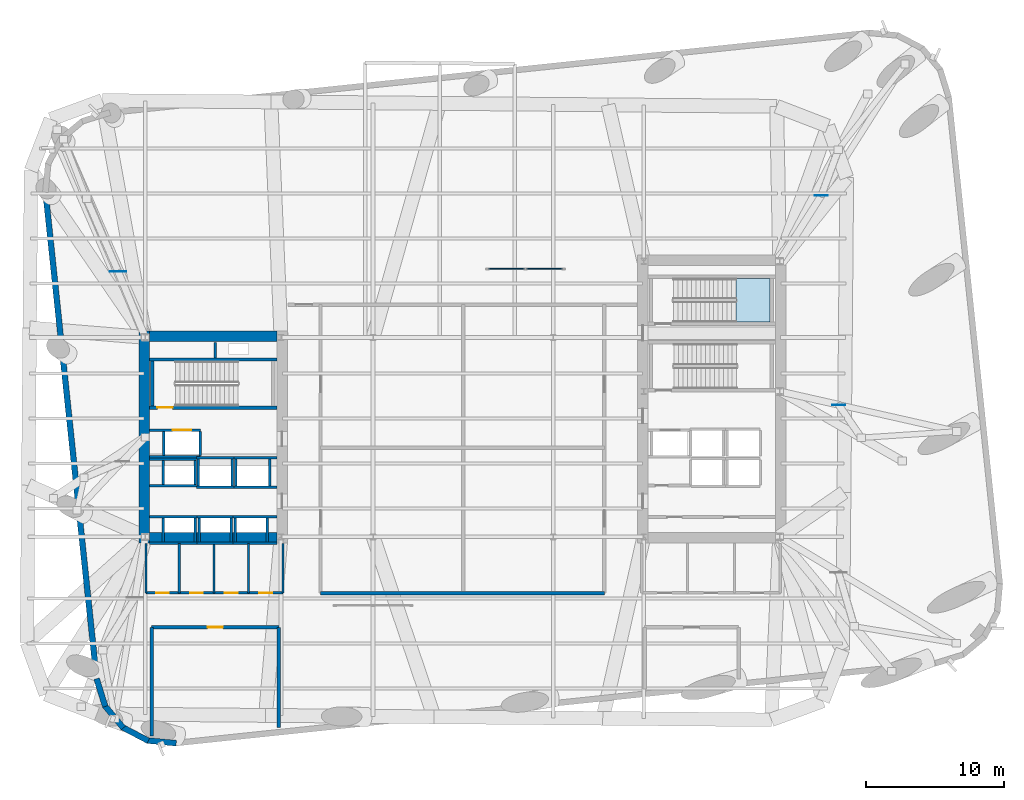
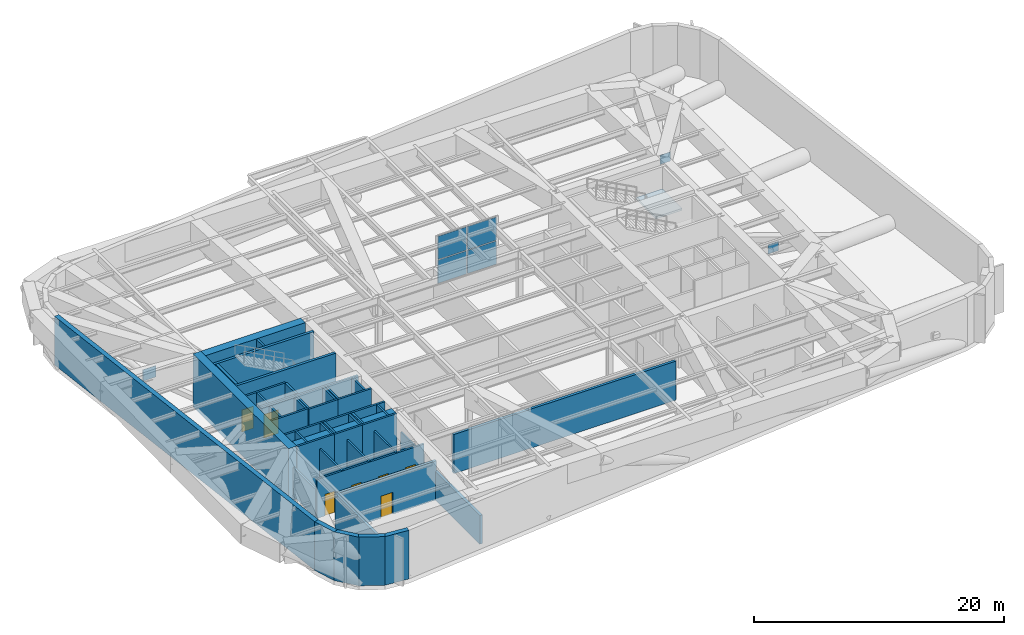
# One storey, part 7 of 15: 50 walls, 7 doors, 7 plates, 1 slab, 7 openings, 2 elements without a shape of their own.
"""IFC4 building model written with IfcOpenShell, lengths in metres."""

from ifc_helpers import new_model, si_unit, direction, frame, frame_2d, origin, origin_2d, place, context, subcontext, project, spatial, polyline, rectangle, outline, extrude, material, layer, layer_set, type_object, element, fill, aggregate, save


model = new_model("IFC4")

# Units and contexts
model_context = context("Model", 3, precision=1e-05, world=origin(), true_north=direction((0.0, 1.0)))
body_context = subcontext(model_context, "Body", "Model", "MODEL_VIEW")
ifc_project = project(units=[si_unit("LENGTHUNIT", "METRE"), si_unit("AREAUNIT", "SQUARE_METRE"), si_unit("VOLUMEUNIT", "CUBIC_METRE"), si_unit("PLANEANGLEUNIT", "RADIAN"), si_unit("MASSUNIT", "GRAM", prefix="KILO")], contexts=[model_context])

# Site, building, storey
site_placement = place(None, origin())
site = spatial("IfcSite", under=ifc_project, at=site_placement, CompositionType="ELEMENT")
building_placement = place(site_placement, origin())
building = spatial("IfcBuilding", under=site, at=building_placement, Name="Kolvaren Arena Tower", CompositionType="ELEMENT")
storey_placement = place(building_placement, frame((0.0, 0.0, 153.25)))
storey = spatial("IfcBuildingStorey", under=building, at=storey_placement, Name="L36", CompositionType="ELEMENT", Elevation=153.25)

# Curtain wall, plates
ifc_material_1 = material(Name="Anodised aluminium unitised curtain wall", Category="aluminium")
curtain_wall_type = type_object("IfcCurtainWallType", Name="CW-SYS-05", PredefinedType="USERDEFINED", material=ifc_material_1)
curtain_wall_placement = place(storey_placement, origin())
curtain_wall = element("IfcCurtainWall", 1, at=curtain_wall_placement, inside=storey, type_object=curtain_wall_type, Name="Mechanical Plant Louvre Curtain Wall (L36)", ObjectType="ACOUSTIC LOUVRE SCREEN", PredefinedType="USERDEFINED")
ifc_material_2 = material(Name="Storm-proof anodised aluminium louvre panel", Category="aluminium")
ifc_layer_1 = layer(ifc_material_2, 0.074951171875)
ifc_layer_set_1 = layer_set([ifc_layer_1], Name="Storm-proof anodised aluminium louvre panel")
plate_type_1 = type_object("IfcPlateType", Name="CWP-LVR1", PredefinedType="CURTAIN_PANEL", material=ifc_layer_set_1)
plate_1_placement = place(storey_placement, frame((40.625, 38.800048828125, 0.080078125), z_axis=(0.0, 0.0, 1.0), x_axis=(1.0, 0.0, 0.0)))
plate_1 = element("IfcPlate", 2, at=plate_1_placement, type_object=plate_type_1, Name="CW5 panel 1.1", PredefinedType="CURTAIN_PANEL", context=body_context, shape_type="SweptSolid", body=[
    extrude(rectangle(XDim=2.64990234375, YDim=0.074951171875, at=origin_2d()), origin(), (0.0, 0.0, 1.0), 2.2548828125),
])
plate_2_placement = place(storey_placement, frame((40.625, 38.800048828125, 2.4150390625), z_axis=(0.0, 0.0, 1.0), x_axis=(1.0, 0.0, 0.0)))
plate_2 = element("IfcPlate", 3, at=plate_2_placement, type_object=plate_type_1, Name="CW5 panel 1.2", PredefinedType="CURTAIN_PANEL", context=body_context, shape_type="SweptSolid", body=[
    extrude(rectangle(XDim=2.64990234375, YDim=0.074951171875, at=origin_2d()), origin(), (0.0, 0.0, 1.0), 2.2548828125),
])
plate_3_placement = place(storey_placement, frame((43.375, 38.800048828125, 0.080078125), z_axis=(0.0, 0.0, 1.0), x_axis=(1.0, 0.0, 0.0)))
plate_3 = element("IfcPlate", 4, at=plate_3_placement, type_object=plate_type_1, Name="CW5 panel 2.1", PredefinedType="CURTAIN_PANEL", context=body_context, shape_type="SweptSolid", body=[
    extrude(rectangle(XDim=2.64990234375, YDim=0.074951171875, at=origin_2d()), origin(), (0.0, 0.0, 1.0), 2.2548828125),
])
plate_4_placement = place(storey_placement, frame((43.375, 38.800048828125, 2.4150390625), z_axis=(0.0, 0.0, 1.0), x_axis=(1.0, 0.0, 0.0)))
plate_4 = element("IfcPlate", 5, at=plate_4_placement, type_object=plate_type_1, Name="CW5 panel 2.2", PredefinedType="CURTAIN_PANEL", context=body_context, shape_type="SweptSolid", body=[
    extrude(rectangle(XDim=2.64990234375, YDim=0.074951171875, at=origin_2d()), origin(), (0.0, 0.0, 1.0), 2.2548828125),
])
aggregate(curtain_wall, [plate_1, plate_2, plate_3, plate_4])

# Plates
ifc_material_3 = material(Name="Steel CSA G40.21 350WT", Category="steel")
ifc_layer_2 = layer(ifc_material_3, 0.0380859375)
ifc_layer_set_2 = layer_set([ifc_layer_2], Name="Steel CSA G40.21 350WT")
plate_type_2 = type_object("IfcPlateType", Name="PLT-GUS-B1", PredefinedType="USERDEFINED", material=ifc_layer_set_2)
for number, where, z_axis, x_axis, name in (
    (6, (63.370849609375, 44.098388671875, 0.199951171875), (0.0, 0.0, 1.0), (1.0, 0.0, 0.0), "Outrigger Truss Gusset Plate 4 (L36)"),
    (7, (64.616943359375, 28.986572265625, 0.199951171875), (0.0, 0.0, 1.0), (1.0, 0.0, 0.0), "Outrigger Truss Gusset Plate 6 (L36)"),
):
    element("IfcPlate", number, at=place(storey_placement, frame(where, z_axis=z_axis, x_axis=x_axis)), inside=storey, type_object=plate_type_2, Name=name, ObjectType="GUSSET PLATE", PredefinedType="USERDEFINED", context=body_context, shape_type="SweptSolid", body=[
        extrude(rectangle(XDim=0.949951171875, YDim=0.0380859375, at=origin_2d()), origin(), (0.0, 0.0, 1.0), 0.89990234375),
    ])
ifc_layer_3 = layer(ifc_material_3, 0.044921875)
ifc_layer_set_3 = layer_set([ifc_layer_3], Name="Steel CSA G40.21 350WT")
plate_type_3 = type_object("IfcPlateType", Name="PLT-GUS-O1", PredefinedType="USERDEFINED", material=ifc_layer_set_3)
plate_5_placement = place(storey_placement, frame((12.58251953125, 38.619873046875, 0.199951171875), z_axis=(0.0, 0.0, 1.0), x_axis=(1.0, 0.0, 0.0)))
element("IfcPlate", 8, at=plate_5_placement, inside=storey, type_object=plate_type_3, Name="Outrigger Truss Gusset Plate 2 (L36)", ObjectType="GUSSET PLATE", PredefinedType="USERDEFINED", context=body_context, shape_type="SweptSolid", body=[
    extrude(rectangle(XDim=1.199951171875, YDim=0.044921875, at=origin_2d()), origin(), (0.0, 0.0, 1.0), 1.10009765625),
])

# Stair, slab
ifc_material_4 = material(Name="Concrete 45 MPa", Category="concrete")
stair_type = type_object("IfcStairType", Name="STAIR-CORE-150", PredefinedType="HALF_TURN_STAIR", material=ifc_material_4)
stair_placement = place(storey_placement, origin())
stair = element("IfcStair", 9, at=stair_placement, inside=storey, type_object=stair_type, Name="L36 ST-E2", PredefinedType="HALF_TURN_STAIR")
ifc_layer_4 = layer(ifc_material_4, 0.199951171875)
ifc_layer_set_4 = layer_set([ifc_layer_4], Name="Concrete 45 MPa")
slab_type = type_object("IfcSlabType", Name="SLAB-LAND", PredefinedType="LANDING", material=ifc_layer_set_4)
slab_placement = place(storey_placement, frame((0.0, 0.0, 2.39990234375)))
slab = element("IfcSlab", 10, at=slab_placement, type_object=slab_type, Name="ST-E2 landing 1", PredefinedType="LANDING", context=body_context, shape_type="SweptSolid", body=[
    extrude(outline(polyline([(57.216064453125, 34.949951171875), (59.659912109375, 34.949951171875), (59.659912109375, 38.10009765625), (57.216064453125, 38.10009765625), (57.216064453125, 34.949951171875)])), origin(), (0.0, 0.0, 1.0), 0.2001953125),
])
aggregate(stair, [slab])

# Walls
ifc_material_5 = material(Name="Concrete 70 MPa", Category="concrete")
ifc_layer_5 = layer(ifc_material_5, 0.75)
ifc_layer_set_5 = layer_set([ifc_layer_5], Name="Concrete 70 MPa")
wall_type_1 = type_object("IfcWallType", Name="CWALL-750", PredefinedType="SHEAR", material=ifc_layer_set_5)
wall_1_placement = place(storey_placement, frame((14.47509765625, 19.0, -0.419921875), z_axis=(0.0, 0.0, 1.0), x_axis=(0.0, 1.0, 0.0)))
element("IfcWall", 11, at=wall_1_placement, inside=storey, type_object=wall_type_1, Name="Core Shear Wall WC-WEST (L36)", PredefinedType="SHEAR", context=body_context, shape_type="SweptSolid", body=[
    extrude(rectangle(XDim=15.300048828125, YDim=0.75, at=frame_2d((7.64990234375, 0.0))), origin(), (0.0, 0.0, 1.0), 5.169921875),
])
for number, where, z_axis, x_axis, name in (
    (12, (14.85009765625, 19.375, -0.419921875), (0.0, 0.0, 1.0), (1.0, 0.0, 0.0), "Core Shear Wall WC-SOUTH (L36)"),
    (13, (14.85009765625, 33.925048828125, -0.419921875), (0.0, 0.0, 1.0), (1.0, 0.0, 0.0), "Core Shear Wall WC-NORTH (L36)"),
):
    element("IfcWall", number, at=place(storey_placement, frame(where, z_axis=z_axis, x_axis=x_axis)), inside=storey, type_object=wall_type_1, Name=name, PredefinedType="SHEAR", context=body_context, shape_type="SweptSolid", body=[
        extrude(rectangle(XDim=9.199951171875, YDim=0.75, at=frame_2d((4.60009765625, 0.0))), origin(), (0.0, 0.0, 1.0), 5.169921875),
    ])
ifc_material_6 = material(Name="Precast concrete C50/60", Category="concrete")
ifc_layer_6 = layer(ifc_material_6, 0.419921875)
ifc_layer_set_6 = layer_set([ifc_layer_6], Name="Precast concrete C50/60")
wall_type_2 = type_object("IfcWallType", Name="EXT-PIER1", PredefinedType="SOLIDWALL", material=ifc_layer_set_6)
wall_2_placement = place(storey_placement, frame((11.039794921875, 9.16943359375, 0.0), z_axis=(0.0, 0.0, 1.0), x_axis=(-0.104532207177, 0.99452150186, 0.0)))
element("IfcWall", 14, at=wall_2_placement, inside=storey, type_object=wall_type_2, Name="Exterior Precast Masonry-Frame Wall (L36)", PredefinedType="SOLIDWALL", context=body_context, shape_type="SweptSolid", body=[
    extrude(rectangle(XDim=35.39990234375, YDim=0.419921875, at=frame_2d((17.699951171875, 0.0))), origin(), (0.0, 0.0, 1.0), 4.75),
])
for number, where, z_axis, x_axis, name in (
    (15, (11.65625, 7.197509765625, 0.0), (0.0, 0.0, 1.0), (-0.296519484366, 0.955026803494, 0.0), "Exterior Precast Masonry-Frame Wall (L36)"),
    (16, (12.964599609375, 5.649658203125, 0.0), (0.0, 0.0, 1.0), (-0.639488914921, 0.768800317178, 0.0), "Exterior Precast Masonry-Frame Wall (L36)"),
    (17, (14.765380859375, 4.72021484375, 0.0), (0.0, 0.0, 1.0), (-0.884940843444, 0.465703450282, 0.0), "Exterior Precast Masonry-Frame Wall (L36)"),
):
    element("IfcWall", number, at=place(storey_placement, frame(where, z_axis=z_axis, x_axis=x_axis)), inside=storey, type_object=wall_type_2, Name=name, PredefinedType="SOLIDWALL", context=body_context, shape_type="SweptSolid", body=[
        extrude(rectangle(XDim=2.10693359375, YDim=0.419921875, at=frame_2d((1.053466796875, 0.0))), origin(), (0.0, 0.0, 1.0), 4.75),
    ])
wall_3_placement = place(storey_placement, frame((16.784912109375, 4.55078125, 0.0), z_axis=(0.0, 0.0, 1.0), x_axis=(-0.995811110714, 0.091434303078, 0.0)))
element("IfcWall", 18, at=wall_3_placement, inside=storey, type_object=wall_type_2, Name="Exterior Precast Masonry-Frame Wall (L36)", PredefinedType="SOLIDWALL", context=body_context, shape_type="SweptSolid", body=[
    extrude(rectangle(XDim=2.106689453125, YDim=0.419921875, at=frame_2d((1.05322265625, 0.0))), origin(), (0.0, 0.0, 1.0), 4.75),
])

# Wall, opening, door
ifc_layer_7 = layer(ifc_material_4, 0.25)
ifc_layer_set_7 = layer_set([ifc_layer_7], Name="Concrete 45 MPa")
wall_type_3 = type_object("IfcWallType", Name="SHAFT-250", PredefinedType="SOLIDWALL", material=ifc_layer_set_7)
wall_4_placement = place(storey_placement, frame((24.050048828125, 28.780029296875, 0.0), z_axis=(0.0, 0.0, 1.0), x_axis=(-1.0, 0.0, 0.0)))
wall_4 = element("IfcWall", 19, at=wall_4_placement, inside=storey, type_object=wall_type_3, Name="Core Shaft Wall (L36)", PredefinedType="SOLIDWALL", context=body_context, shape_type="SweptSolid", body=[
    extrude(rectangle(XDim=9.199951171875, YDim=0.239990234375, at=frame_2d((4.60009765625, 0.0))), origin(), (0.0, 0.0, 1.0), 4.75),
])
opening_1_placement = place(wall_4_placement, frame((7.530029296875, 0.0, 0.0)))
opening_1 = element("IfcOpeningElement", 20, at=opening_1_placement, cuts=wall_4, Name="Opening D03", PredefinedType="OPENING", context=body_context, shape_type="SweptSolid", body=[
    extrude(rectangle(XDim=1.10009765625, YDim=2.14990234375, at=frame_2d((0.550048828125, 1.074951171875))), frame((0.0, 0.1298828125, 0.0), z_axis=(0.0, -1.0, 0.0), x_axis=(1.0, 0.0, 0.0)), (0.0, 0.0, 1.0), 0.260009765625),
])
ifc_material_7 = material(Name="Fire-rated steel exit stair door", Category="steel")
door_type_1 = type_object("IfcDoorType", Name="DOOR-ST-110", OperationType="NOTDEFINED", PredefinedType="DOOR", material=ifc_material_7)
door_1_placement = place(opening_1_placement, origin())
door_1 = element("IfcDoor", 21, at=door_1_placement, inside=storey, type_object=door_type_1, Name="Stair ST-W1 Fire Door (L36)", OperationType="SINGLE_SWING_RIGHT", OverallHeight=2.14990234375, OverallWidth=1.10009765625, PredefinedType="DOOR", context=body_context, shape_type="SweptSolid", body=[
    extrude(rectangle(XDim=1.10009765625, YDim=2.14990234375, at=frame_2d((0.550048828125, 1.074951171875))), frame((0.0, 0.02490234375, 0.0), z_axis=(0.0, -1.0, 0.0), x_axis=(1.0, 0.0, 0.0)), (0.0, 0.0, 1.0), 0.050048828125),
])
fill(opening_1, door_1)

# Walls
wall_5_placement = place(storey_placement, frame((14.85009765625, 32.25, 0.0), z_axis=(0.0, 0.0, 1.0), x_axis=(1.0, 0.0, 0.0)))
element("IfcWall", 22, at=wall_5_placement, inside=storey, type_object=wall_type_3, Name="Core Shaft Wall (L36)", PredefinedType="SOLIDWALL", context=body_context, shape_type="SweptSolid", body=[
    extrude(rectangle(XDim=9.199951171875, YDim=0.239990234375, at=frame_2d((4.60009765625, 0.0))), origin(), (0.0, 0.0, 1.0), 4.75),
])
wall_6_placement = place(storey_placement, frame((15.06005859375, 28.89990234375, 0.0), z_axis=(0.0, 0.0, 1.0), x_axis=(0.0, 1.0, 0.0)))
element("IfcWall", 23, at=wall_6_placement, inside=storey, type_object=wall_type_3, Name="Core Shaft Wall (L36)", PredefinedType="SOLIDWALL", context=body_context, shape_type="SweptSolid", body=[
    extrude(rectangle(XDim=3.22998046875, YDim=0.239990234375, at=frame_2d((1.614990234375, 0.0))), origin(), (0.0, 0.0, 1.0), 4.75),
])
wall_7_placement = place(storey_placement, frame((19.60009765625, 32.3701171875, 0.0), z_axis=(0.0, 0.0, 1.0), x_axis=(0.0, 1.0, 0.0)))
element("IfcWall", 24, at=wall_7_placement, inside=storey, type_object=wall_type_3, Name="Core Shaft Wall (L36)", PredefinedType="SOLIDWALL", context=body_context, shape_type="SweptSolid", body=[
    extrude(rectangle(XDim=1.1298828125, YDim=0.199951171875, at=frame_2d((0.56494140625, 0.0))), origin(), (0.0, 0.0, 1.0), 4.75),
])
for number, where, z_axis, x_axis, name in (
    (25, (14.85009765625, 20.905029296875, 0.0), (0.0, 0.0, 1.0), (1.0, 0.0, 0.0), "Core Shaft Wall (L36)"),
    (26, (14.85009765625, 18.9951171875, 0.0), (0.0, 0.0, 1.0), (1.0, 0.0, 0.0), "Core Shaft Wall (L36)"),
):
    element("IfcWall", number, at=place(storey_placement, frame(where, z_axis=z_axis, x_axis=x_axis)), inside=storey, type_object=wall_type_3, Name=name, PredefinedType="SOLIDWALL", context=body_context, shape_type="SweptSolid", body=[
        extrude(rectangle(XDim=3.449951171875, YDim=0.179931640625, at=frame_2d((1.72509765625, 0.0))), origin(), (0.0, 0.0, 1.0), 4.75),
    ])
for number, where, z_axis, x_axis, name in (
    (27, (15.844970703125, 19.0849609375, 0.0), (0.0, 0.0, 1.0), (0.0, 1.0, 0.0), "Core Shaft Wall (L36)"),
    (28, (18.155029296875, 19.0849609375, 0.0), (0.0, 0.0, 1.0), (0.0, 1.0, 0.0), "Core Shaft Wall (L36)"),
):
    element("IfcWall", number, at=place(storey_placement, frame(where, z_axis=z_axis, x_axis=x_axis)), inside=storey, type_object=wall_type_3, Name=name, PredefinedType="SOLIDWALL", context=body_context, shape_type="SweptSolid", body=[
        extrude(rectangle(XDim=1.72998046875, YDim=0.179931640625, at=frame_2d((0.864990234375, 0.0))), origin(), (0.0, 0.0, 1.0), 4.75),
    ])
for number, where, z_axis, x_axis, name in (
    (29, (18.300048828125, 20.905029296875, 0.0), (0.0, 0.0, 1.0), (1.0, 0.0, 0.0), "Core Shaft Wall (L36)"),
    (30, (18.300048828125, 18.9951171875, 0.0), (0.0, 0.0, 1.0), (1.0, 0.0, 0.0), "Core Shaft Wall (L36)"),
):
    element("IfcWall", number, at=place(storey_placement, frame(where, z_axis=z_axis, x_axis=x_axis)), inside=storey, type_object=wall_type_3, Name=name, PredefinedType="SOLIDWALL", context=body_context, shape_type="SweptSolid", body=[
        extrude(rectangle(XDim=2.599853515625, YDim=0.179931640625, at=frame_2d((1.2998046875, 0.0))), origin(), (0.0, 0.0, 1.0), 4.75),
    ])
for number, where, z_axis, x_axis, name in (
    (31, (18.445068359375, 19.0849609375, 0.0), (0.0, 0.0, 1.0), (0.0, 1.0, 0.0), "Core Shaft Wall (L36)"),
    (32, (20.7548828125, 19.0849609375, 0.0), (0.0, 0.0, 1.0), (0.0, 1.0, 0.0), "Core Shaft Wall (L36)"),
):
    element("IfcWall", number, at=place(storey_placement, frame(where, z_axis=z_axis, x_axis=x_axis)), inside=storey, type_object=wall_type_3, Name=name, PredefinedType="SOLIDWALL", context=body_context, shape_type="SweptSolid", body=[
        extrude(rectangle(XDim=1.72998046875, YDim=0.179931640625, at=frame_2d((0.864990234375, 0.0))), origin(), (0.0, 0.0, 1.0), 4.75),
    ])
for number, where, z_axis, x_axis, name in (
    (33, (20.89990234375, 20.905029296875, 0.0), (0.0, 0.0, 1.0), (1.0, 0.0, 0.0), "Core Shaft Wall (L36)"),
    (34, (20.89990234375, 18.9951171875, 0.0), (0.0, 0.0, 1.0), (1.0, 0.0, 0.0), "Core Shaft Wall (L36)"),
):
    element("IfcWall", number, at=place(storey_placement, frame(where, z_axis=z_axis, x_axis=x_axis)), inside=storey, type_object=wall_type_3, Name=name, PredefinedType="SOLIDWALL", context=body_context, shape_type="SweptSolid", body=[
        extrude(rectangle(XDim=3.150146484375, YDim=0.179931640625, at=frame_2d((1.5751953125, 0.0))), origin(), (0.0, 0.0, 1.0), 4.75),
    ])
for number, where, z_axis, x_axis, name in (
    (35, (21.044921875, 19.0849609375, 0.0), (0.0, 0.0, 1.0), (0.0, 1.0, 0.0), "Core Shaft Wall (L36)"),
    (36, (23.35498046875, 19.0849609375, 0.0), (0.0, 0.0, 1.0), (0.0, 1.0, 0.0), "Core Shaft Wall (L36)"),
):
    element("IfcWall", number, at=place(storey_placement, frame(where, z_axis=z_axis, x_axis=x_axis)), inside=storey, type_object=wall_type_3, Name=name, PredefinedType="SOLIDWALL", context=body_context, shape_type="SweptSolid", body=[
        extrude(rectangle(XDim=1.72998046875, YDim=0.179931640625, at=frame_2d((0.864990234375, 0.0))), origin(), (0.0, 0.0, 1.0), 4.75),
    ])
for number, where, z_axis, x_axis, name in (
    (37, (14.85009765625, 25.054931640625, 0.0), (0.0, 0.0, 1.0), (1.0, 0.0, 0.0), "Core Shaft Wall (L36)"),
    (38, (14.85009765625, 23.14501953125, 0.0), (0.0, 0.0, 1.0), (1.0, 0.0, 0.0), "Core Shaft Wall (L36)"),
):
    element("IfcWall", number, at=place(storey_placement, frame(where, z_axis=z_axis, x_axis=x_axis)), inside=storey, type_object=wall_type_3, Name=name, PredefinedType="SOLIDWALL", context=body_context, shape_type="SweptSolid", body=[
        extrude(rectangle(XDim=3.412353515625, YDim=0.179931640625, at=frame_2d((1.7060546875, 0.0))), origin(), (0.0, 0.0, 1.0), 4.75),
    ])
for number, where, z_axis, x_axis, name in (
    (39, (15.844970703125, 23.235107421875, 0.0), (0.0, 0.0, 1.0), (0.0, 1.0, 0.0), "Core Shaft Wall (L36)"),
    (40, (18.155029296875, 23.235107421875, 0.0), (0.0, 0.0, 1.0), (0.0, 1.0, 0.0), "Core Shaft Wall (L36)"),
):
    element("IfcWall", number, at=place(storey_placement, frame(where, z_axis=z_axis, x_axis=x_axis)), inside=storey, type_object=wall_type_3, Name=name, PredefinedType="SOLIDWALL", context=body_context, shape_type="SweptSolid", body=[
        extrude(rectangle(XDim=1.72998046875, YDim=0.179931640625, at=frame_2d((0.864990234375, 0.0))), origin(), (0.0, 0.0, 1.0), 4.75),
    ])
for number, where, z_axis, x_axis, name in (
    (41, (18.262451171875, 25.155029296875, 0.0), (0.0, 0.0, 1.0), (1.0, 0.0, 0.0), "Core Shaft Wall (L36)"),
    (42, (18.262451171875, 23.044921875, 0.0), (0.0, 0.0, 1.0), (1.0, 0.0, 0.0), "Core Shaft Wall (L36)"),
):
    element("IfcWall", number, at=place(storey_placement, frame(where, z_axis=z_axis, x_axis=x_axis)), inside=storey, type_object=wall_type_3, Name=name, PredefinedType="SOLIDWALL", context=body_context, shape_type="SweptSolid", body=[
        extrude(rectangle(XDim=2.6875, YDim=0.179931640625, at=frame_2d((1.34375, 0.0))), origin(), (0.0, 0.0, 1.0), 4.75),
    ])
for number, where, z_axis, x_axis, name in (
    (43, (18.3701171875, 23.135009765625, 0.0), (0.0, 0.0, 1.0), (0.0, 1.0, 0.0), "Core Shaft Wall (L36)"),
    (44, (20.830078125, 23.135009765625, 0.0), (0.0, 0.0, 1.0), (0.0, 1.0, 0.0), "Core Shaft Wall (L36)"),
):
    element("IfcWall", number, at=place(storey_placement, frame(where, z_axis=z_axis, x_axis=x_axis)), inside=storey, type_object=wall_type_3, Name=name, PredefinedType="SOLIDWALL", context=body_context, shape_type="SweptSolid", body=[
        extrude(rectangle(XDim=1.929931640625, YDim=0.179931640625, at=frame_2d((0.96484375, 0.0))), origin(), (0.0, 0.0, 1.0), 4.75),
    ])
for number, where, z_axis, x_axis, name in (
    (45, (20.949951171875, 25.155029296875, 0.0), (0.0, 0.0, 1.0), (1.0, 0.0, 0.0), "Core Shaft Wall (L36)"),
    (46, (20.949951171875, 23.044921875, 0.0), (0.0, 0.0, 1.0), (1.0, 0.0, 0.0), "Core Shaft Wall (L36)"),
):
    element("IfcWall", number, at=place(storey_placement, frame(where, z_axis=z_axis, x_axis=x_axis)), inside=storey, type_object=wall_type_3, Name=name, PredefinedType="SOLIDWALL", context=body_context, shape_type="SweptSolid", body=[
        extrude(rectangle(XDim=3.10009765625, YDim=0.179931640625, at=frame_2d((1.550048828125, 0.0))), origin(), (0.0, 0.0, 1.0), 4.75),
    ])
for number, where, z_axis, x_axis, name in (
    (47, (21.070068359375, 23.135009765625, 0.0), (0.0, 0.0, 1.0), (0.0, 1.0, 0.0), "Core Shaft Wall (L36)"),
    (48, (23.530029296875, 23.135009765625, 0.0), (0.0, 0.0, 1.0), (0.0, 1.0, 0.0), "Core Shaft Wall (L36)"),
):
    element("IfcWall", number, at=place(storey_placement, frame(where, z_axis=z_axis, x_axis=x_axis)), inside=storey, type_object=wall_type_3, Name=name, PredefinedType="SOLIDWALL", context=body_context, shape_type="SweptSolid", body=[
        extrude(rectangle(XDim=1.929931640625, YDim=0.179931640625, at=frame_2d((0.96484375, 0.0))), origin(), (0.0, 0.0, 1.0), 4.75),
    ])

# Wall, opening, door
wall_8_placement = place(storey_placement, frame((14.85009765625, 27.155029296875, 0.0), z_axis=(0.0, 0.0, 1.0), x_axis=(1.0, 0.0, 0.0)))
wall_8 = element("IfcWall", 49, at=wall_8_placement, inside=storey, type_object=wall_type_3, Name="Core Shaft Wall (L36)", PredefinedType="SOLIDWALL", context=body_context, shape_type="SweptSolid", body=[
    extrude(rectangle(XDim=3.679931640625, YDim=0.179931640625, at=frame_2d((1.83984375, 0.0))), origin(), (0.0, 0.0, 1.0), 4.75),
])
opening_2_placement = place(wall_8_placement, frame((1.675048828125, 0.0, 0.0)))
opening_2 = element("IfcOpeningElement", 50, at=opening_2_placement, cuts=wall_8, Name="Opening LD2", PredefinedType="OPENING", context=body_context, shape_type="SweptSolid", body=[
    extrude(rectangle(XDim=1.35009765625, YDim=2.300048828125, at=frame_2d((0.675048828125, 1.14990234375))), frame((0.0, 0.099853515625, 0.0), z_axis=(0.0, -1.0, 0.0), x_axis=(1.0, 0.0, 0.0)), (0.0, 0.0, 1.0), 0.199951171875),
])
ifc_material_8 = material(Name="Stainless steel firefighter lift landing door", Category="steel")
door_type_2 = type_object("IfcDoorType", Name="DOOR-LD-135", OperationType="DOUBLE_DOOR_SLIDING", PredefinedType="DOOR", material=ifc_material_8)
door_2_placement = place(opening_2_placement, origin())
door_2 = element("IfcDoor", 51, at=door_2_placement, inside=storey, type_object=door_type_2, Name="Firefighter Lift FF-W1 Landing Door (L36)", OperationType="DOUBLE_DOOR_SLIDING", OverallHeight=2.300048828125, OverallWidth=1.35009765625, PredefinedType="DOOR", context=body_context, shape_type="SweptSolid", body=[
    extrude(rectangle(XDim=1.35009765625, YDim=2.300048828125, at=frame_2d((0.675048828125, 1.14990234375))), frame((0.0, 0.02490234375, 0.0), z_axis=(0.0, -1.0, 0.0), x_axis=(1.0, 0.0, 0.0)), (0.0, 0.0, 1.0), 0.050048828125),
])
fill(opening_2, door_2)

# Walls
wall_9_placement = place(storey_placement, frame((14.85009765625, 25.2451171875, 0.0), z_axis=(0.0, 0.0, 1.0), x_axis=(1.0, 0.0, 0.0)))
element("IfcWall", 52, at=wall_9_placement, inside=storey, type_object=wall_type_3, Name="Core Shaft Wall (L36)", PredefinedType="SOLIDWALL", context=body_context, shape_type="SweptSolid", body=[
    extrude(rectangle(XDim=3.679931640625, YDim=0.179931640625, at=frame_2d((1.83984375, 0.0))), origin(), (0.0, 0.0, 1.0), 4.75),
])
for number, where, z_axis, x_axis, name in (
    (53, (15.8701171875, 25.3349609375, 0.0), (0.0, 0.0, 1.0), (0.0, 1.0, 0.0), "Core Shaft Wall (L36)"),
    (54, (18.530029296875, 25.3349609375, 0.0), (0.0, 0.0, 1.0), (0.0, 1.0, 0.0), "Core Shaft Wall (L36)"),
):
    element("IfcWall", number, at=place(storey_placement, frame(where, z_axis=z_axis, x_axis=x_axis)), inside=storey, type_object=wall_type_3, Name=name, PredefinedType="SOLIDWALL", context=body_context, shape_type="SweptSolid", body=[
        extrude(rectangle(XDim=1.72998046875, YDim=0.179931640625, at=frame_2d((0.864990234375, 0.0))), origin(), (0.0, 0.0, 1.0), 4.75),
    ])
wall_10_placement = place(storey_placement, frame((27.199951171875, 15.3798828125, 0.0), z_axis=(0.0, 0.0, 1.0), x_axis=(1.0, 0.0, 0.0)))
element("IfcWall", 55, at=wall_10_placement, inside=storey, type_object=wall_type_3, Name="Interior Partition Wall (L36)", PredefinedType="SOLIDWALL", context=body_context, shape_type="SweptSolid", body=[
    extrude(rectangle(XDim=20.5, YDim=0.25, at=frame_2d((10.25, 0.0))), origin(), (0.0, 0.0, 1.0), 3.81005859375),
])

# Wall, opening, door
wall_11_placement = place(storey_placement, frame((15.0, 12.919921875, 0.0), z_axis=(0.0, 0.0, 1.0), x_axis=(1.0, 0.0, 0.0)))
wall_11 = element("IfcWall", 56, at=wall_11_placement, inside=storey, type_object=wall_type_3, Name="Interior Partition Wall (L36)", PredefinedType="SOLIDWALL", context=body_context, shape_type="SweptSolid", body=[
    extrude(rectangle(XDim=9.199951171875, YDim=0.25, at=frame_2d((4.60009765625, 0.0))), origin(), (0.0, 0.0, 1.0), 3.81005859375),
])
opening_3_placement = place(wall_11_placement, frame((4.050048828125, 0.0, 0.0)))
opening_3 = element("IfcOpeningElement", 57, at=opening_3_placement, cuts=wall_11, Name="Opening D03", PredefinedType="OPENING", context=body_context, shape_type="SweptSolid", body=[
    extrude(rectangle(XDim=1.10009765625, YDim=2.14990234375, at=frame_2d((0.550048828125, 1.074951171875))), frame((0.0, 0.135009765625, 0.0), z_axis=(0.0, -1.0, 0.0), x_axis=(1.0, 0.0, 0.0)), (0.0, 0.0, 1.0), 0.27001953125),
])
door_3_placement = place(opening_3_placement, origin())
door_3 = element("IfcDoor", 58, at=door_3_placement, inside=storey, type_object=door_type_1, Name="West Area of Refuge Door (L36)", OperationType="SINGLE_SWING_LEFT", OverallHeight=2.14990234375, OverallWidth=1.10009765625, PredefinedType="DOOR", context=body_context, shape_type="SweptSolid", body=[
    extrude(rectangle(XDim=1.10009765625, YDim=2.14990234375, at=frame_2d((0.550048828125, 1.074951171875))), frame((0.0, 0.02490234375, 0.0), z_axis=(0.0, -1.0, 0.0), x_axis=(1.0, 0.0, 0.0)), (0.0, 0.0, 1.0), 0.050048828125),
])
fill(opening_3, door_3)

# Walls
wall_12_placement = place(storey_placement, frame((15.0, 5.066162109375, 0.0), z_axis=(0.0, 0.0, 1.0), x_axis=(0.0, 1.0, 0.0)))
element("IfcWall", 59, at=wall_12_placement, inside=storey, type_object=wall_type_3, Name="Interior Partition Wall (L36)", PredefinedType="SOLIDWALL", context=body_context, shape_type="SweptSolid", body=[
    extrude(rectangle(XDim=7.853759765625, YDim=0.25, at=frame_2d((3.9267578125, 0.0))), origin(), (0.0, 0.0, 1.0), 3.81005859375),
])
wall_13_placement = place(storey_placement, frame((24.199951171875, 5.68603515625, 0.0), z_axis=(0.0, 0.0, 1.0), x_axis=(0.0, 1.0, 0.0)))
element("IfcWall", 60, at=wall_13_placement, inside=storey, type_object=wall_type_3, Name="Interior Partition Wall (L36)", PredefinedType="SOLIDWALL", context=body_context, shape_type="SweptSolid", body=[
    extrude(rectangle(XDim=7.23388671875, YDim=0.25, at=frame_2d((3.616943359375, 0.0))), origin(), (0.0, 0.0, 1.0), 2.800048828125),
])
ifc_material_9 = material(Name="Moisture-resistant gypsum assembly", Category="gypsum")
ifc_layer_8 = layer(ifc_material_9, 0.14990234375)
ifc_layer_set_8 = layer_set([ifc_layer_8], Name="Moisture-resistant gypsum assembly")
wall_type_4 = type_object("IfcWallType", Name="WETW-150", PredefinedType="PARTITIONING", material=ifc_layer_set_8)
for number, where, z_axis, x_axis, name in (
    (61, (17.0, 15.39990234375, 0.0), (0.0, 0.0, 1.0), (0.0, 1.0, 0.0), "Interior Partition Wall (L36)"),
    (62, (19.5, 15.39990234375, 0.0), (0.0, 0.0, 1.0), (0.0, 1.0, 0.0), "Interior Partition Wall (L36)"),
    (63, (22.0, 15.39990234375, 0.0), (0.0, 0.0, 1.0), (0.0, 1.0, 0.0), "Interior Partition Wall (L36)"),
):
    element("IfcWall", number, at=place(storey_placement, frame(where, z_axis=z_axis, x_axis=x_axis)), inside=storey, type_object=wall_type_4, Name=name, PredefinedType="PARTITIONING", context=body_context, shape_type="SweptSolid", body=[
        extrude(rectangle(XDim=3.580078125, YDim=0.14990234375, at=frame_2d((1.7900390625, 0.0))), origin(), (0.0, 0.0, 1.0), 3.81005859375),
    ])

# Wall, openings, doors
wall_14_placement = place(storey_placement, frame((14.60009765625, 15.39990234375, 0.0), z_axis=(0.0, 0.0, 1.0), x_axis=(1.0, 0.0, 0.0)))
wall_14 = element("IfcWall", 64, at=wall_14_placement, inside=storey, type_object=wall_type_4, Name="Interior Partition Wall (L36)", PredefinedType="PARTITIONING", context=body_context, shape_type="SweptSolid", body=[
    extrude(rectangle(XDim=9.89990234375, YDim=0.179931640625, at=frame_2d((4.949951171875, 0.0))), origin(), (0.0, 0.0, 1.0), 3.81005859375),
])
opening_4_placement = place(wall_14_placement, frame((0.739990234375, 0.0, 0.0)))
opening_4 = element("IfcOpeningElement", 65, at=opening_4_placement, cuts=wall_14, Name="Opening D07", PredefinedType="OPENING", context=body_context, shape_type="SweptSolid", body=[
    extrude(rectangle(XDim=0.919921875, YDim=2.10009765625, at=frame_2d((0.4599609375, 1.050048828125))), frame((0.0, 0.099853515625, 0.0), z_axis=(0.0, -1.0, 0.0), x_axis=(1.0, 0.0, 0.0)), (0.0, 0.0, 1.0), 0.199951171875),
])
opening_5_placement = place(wall_14_placement, frame((3.18994140625, 0.0, 0.0)))
opening_5 = element("IfcOpeningElement", 66, at=opening_5_placement, cuts=wall_14, Name="Opening D07", PredefinedType="OPENING", context=body_context, shape_type="SweptSolid", body=[
    extrude(rectangle(XDim=0.919921875, YDim=2.10009765625, at=frame_2d((0.4599609375, 1.050048828125))), frame((0.0, 0.099853515625, 0.0), z_axis=(0.0, -1.0, 0.0), x_axis=(1.0, 0.0, 0.0)), (0.0, 0.0, 1.0), 0.199951171875),
])
opening_6_placement = place(wall_14_placement, frame((5.68994140625, 0.0, 0.0)))
opening_6 = element("IfcOpeningElement", 67, at=opening_6_placement, cuts=wall_14, Name="Opening D07", PredefinedType="OPENING", context=body_context, shape_type="SweptSolid", body=[
    extrude(rectangle(XDim=0.919921875, YDim=2.10009765625, at=frame_2d((0.4599609375, 1.050048828125))), frame((0.0, 0.099853515625, 0.0), z_axis=(0.0, -1.0, 0.0), x_axis=(1.0, 0.0, 0.0)), (0.0, 0.0, 1.0), 0.199951171875),
])
opening_7_placement = place(wall_14_placement, frame((8.18994140625, 0.0, 0.0)))
opening_7 = element("IfcOpeningElement", 68, at=opening_7_placement, cuts=wall_14, Name="Opening D07", PredefinedType="OPENING", context=body_context, shape_type="SweptSolid", body=[
    extrude(rectangle(XDim=0.919921875, YDim=2.10009765625, at=frame_2d((0.4599609375, 1.050048828125))), frame((0.0, 0.099853515625, 0.0), z_axis=(0.0, -1.0, 0.0), x_axis=(1.0, 0.0, 0.0)), (0.0, 0.0, 1.0), 0.199951171875),
])
ifc_material_10 = material(Name="Laminate universal washroom door", Category="wood")
door_type_3 = type_object("IfcDoorType", Name="DOOR-WC-092", OperationType="NOTDEFINED", PredefinedType="DOOR", material=ifc_material_10)
door_4_placement = place(opening_4_placement, origin())
door_4 = element("IfcDoor", 69, at=door_4_placement, inside=storey, type_object=door_type_3, Name="Cleaner and Janitor Store Door (L36)", OperationType="SINGLE_SWING_RIGHT", OverallHeight=2.10009765625, OverallWidth=0.919921875, PredefinedType="DOOR", context=body_context, shape_type="SweptSolid", body=[
    extrude(rectangle(XDim=0.919921875, YDim=2.10009765625, at=frame_2d((0.4599609375, 1.050048828125))), frame((0.0, 0.02490234375, 0.0), z_axis=(0.0, -1.0, 0.0), x_axis=(1.0, 0.0, 0.0)), (0.0, 0.0, 1.0), 0.050048828125),
])
fill(opening_4, door_4)
door_5_placement = place(opening_5_placement, origin())
door_5 = element("IfcDoor", 70, at=door_5_placement, inside=storey, type_object=door_type_3, Name="Universal Barrier-Free Washroom Door (L36)", OperationType="SINGLE_SWING_LEFT", OverallHeight=2.10009765625, OverallWidth=0.919921875, PredefinedType="DOOR", context=body_context, shape_type="SweptSolid", body=[
    extrude(rectangle(XDim=0.919921875, YDim=2.10009765625, at=frame_2d((0.4599609375, 1.050048828125))), frame((0.0, 0.02490234375, 0.0), z_axis=(0.0, -1.0, 0.0), x_axis=(1.0, 0.0, 0.0)), (0.0, 0.0, 1.0), 0.050048828125),
])
fill(opening_5, door_5)
door_6_placement = place(opening_6_placement, origin())
door_6 = element("IfcDoor", 71, at=door_6_placement, inside=storey, type_object=door_type_3, Name="Women Restroom Door (L36)", OperationType="SINGLE_SWING_RIGHT", OverallHeight=2.10009765625, OverallWidth=0.919921875, PredefinedType="DOOR", context=body_context, shape_type="SweptSolid", body=[
    extrude(rectangle(XDim=0.919921875, YDim=2.10009765625, at=frame_2d((0.4599609375, 1.050048828125))), frame((0.0, 0.02490234375, 0.0), z_axis=(0.0, -1.0, 0.0), x_axis=(1.0, 0.0, 0.0)), (0.0, 0.0, 1.0), 0.050048828125),
])
fill(opening_6, door_6)
door_7_placement = place(opening_7_placement, origin())
door_7 = element("IfcDoor", 72, at=door_7_placement, inside=storey, type_object=door_type_3, Name="Men Restroom Door (L36)", OperationType="SINGLE_SWING_LEFT", OverallHeight=2.10009765625, OverallWidth=0.919921875, PredefinedType="DOOR", context=body_context, shape_type="SweptSolid", body=[
    extrude(rectangle(XDim=0.919921875, YDim=2.10009765625, at=frame_2d((0.4599609375, 1.050048828125))), frame((0.0, 0.02490234375, 0.0), z_axis=(0.0, -1.0, 0.0), x_axis=(1.0, 0.0, 0.0)), (0.0, 0.0, 1.0), 0.050048828125),
])
fill(opening_7, door_7)

# Walls
for number, where, z_axis, x_axis, name in (
    (73, (14.60009765625, 15.39990234375, 0.0), (0.0, 0.0, 1.0), (0.0, 1.0, 0.0), "Interior Partition Wall (L36)"),
    (74, (24.5, 15.39990234375, 0.0), (0.0, 0.0, 1.0), (0.0, 1.0, 0.0), "Interior Partition Wall (L36)"),
):
    element("IfcWall", number, at=place(storey_placement, frame(where, z_axis=z_axis, x_axis=x_axis)), inside=storey, type_object=wall_type_4, Name=name, PredefinedType="PARTITIONING", context=body_context, shape_type="SweptSolid", body=[
        extrude(rectangle(XDim=3.580078125, YDim=0.14990234375, at=frame_2d((1.7900390625, 0.0))), origin(), (0.0, 0.0, 1.0), 2.800048828125),
    ])

save(model, "model.ifc")
